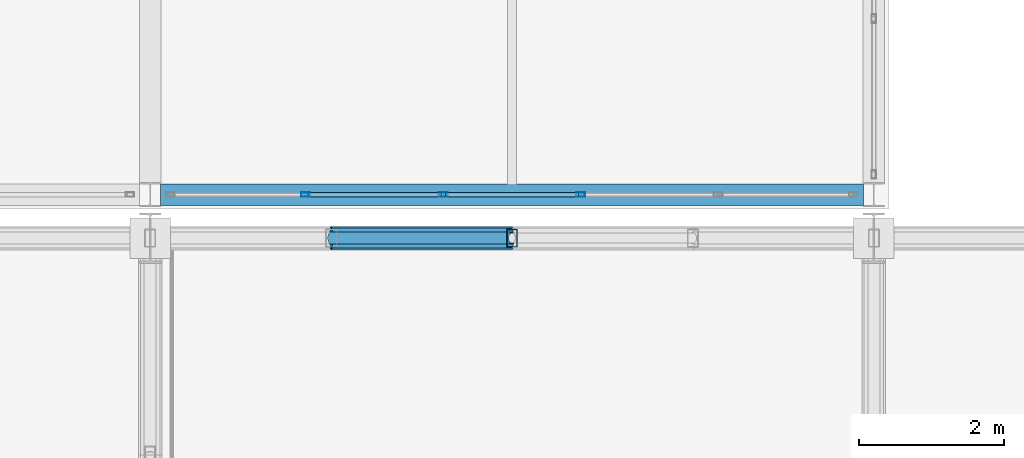
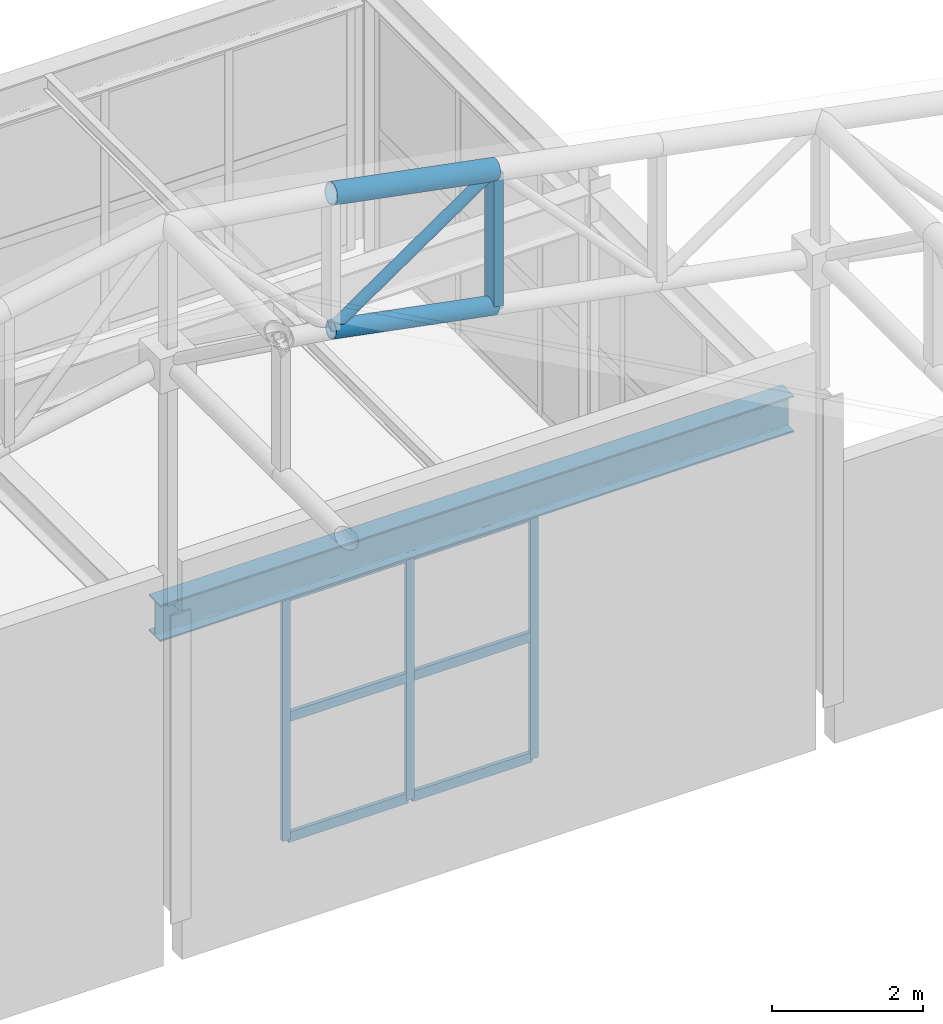
# One storey, part 73 of 112: 13 members, 1 beam, 1 element without a shape of its own.
"""IFC4 building model written with IfcOpenShell, lengths in metres."""

from ifc_helpers import new_model, si_unit, direction, frame, origin, origin_2d, place, context, subcontext, project, spatial, hollow_rectangle, hollow_circle, i_section, extrude, material, material_profile, profile_set, type_object, element, aggregate, save


model = new_model("IFC4")

# Units and contexts
model_context = context("Model", 3, precision=1e-05, world=origin(), true_north=direction((0.0, 1.0)))
body_context = subcontext(model_context, "Body", "Model", "MODEL_VIEW")
ifc_project = project(units=[si_unit("LENGTHUNIT", "METRE"), si_unit("AREAUNIT", "SQUARE_METRE"), si_unit("VOLUMEUNIT", "CUBIC_METRE"), si_unit("PLANEANGLEUNIT", "RADIAN"), si_unit("MASSUNIT", "GRAM", prefix="KILO")], contexts=[model_context])

# Site, building, storey
site_placement = place(None, origin())
site = spatial("IfcSite", under=ifc_project, at=site_placement, CompositionType="ELEMENT")
building_placement = place(site_placement, origin())
building = spatial("IfcBuilding", under=site, at=building_placement, Name="Kaldris Quays Convention Centre", CompositionType="ELEMENT")
storey_placement = place(building_placement, frame((0.0, 0.0, 16.800048828125)))
storey = spatial("IfcBuildingStorey", under=building, at=storey_placement, Name="L03", CompositionType="ELEMENT", Elevation=16.800048828125)

# Curtain wall, members
ifc_material_1 = material(Name="Anodized aluminium AW-6060 and triple glazing", Category="aluminium")
curtain_wall_type = type_object("IfcCurtainWallType", Name="UNITISED CURTAIN WALL CW06", PredefinedType="NOTDEFINED", material=ifc_material_1)
curtain_wall_placement = place(storey_placement, origin())
curtain_wall = element("IfcCurtainWall", 1, at=curtain_wall_placement, inside=storey, type_object=curtain_wall_type, Name="L03 Unitised Curtain Wall CW06 178", PredefinedType="NOTDEFINED")
ifc_material_2 = material(Name="Anodized aluminium AW-6060", Category="aluminium")
ifc_material_profile_1 = material_profile(ifc_material_2, hollow_rectangle(XDim=0.06005859375, YDim=0.1201171875, WallThickness=0.00390625, at=origin_2d()), Name="RHS 120x60x4")
ifc_profile_set_1 = profile_set([ifc_material_profile_1], Name="Anodized aluminium AW-6060")
member_type_1 = type_object("IfcMemberType", Name="CURTAIN MULLION CWM3", PredefinedType="MULLION", material=ifc_profile_set_1)
member_1_placement = place(storey_placement, frame((186.14990234375, 104.60009765625, 0.0), z_axis=(0.0, 0.0, 1.0), x_axis=(0.0, 1.0, 0.0)))
member_1 = element("IfcMember", 2, at=member_1_placement, type_object=member_type_1, Name="CW06 mullion 2", PredefinedType="MULLION", context=body_context, shape_type="SweptSolid", body=[
    extrude(hollow_rectangle(XDim=0.06005859375, YDim=0.1201171875, WallThickness=0.00390625, at=origin_2d()), origin(), (0.0, 0.0, 1.0), 3.967041015625),
])
member_2_placement = place(storey_placement, frame((188.050048828125, 104.60009765625, 0.0), z_axis=(0.0, 0.0, 1.0), x_axis=(0.0, 1.0, 0.0)))
member_2 = element("IfcMember", 3, at=member_2_placement, type_object=member_type_1, Name="CW06 mullion 3", PredefinedType="MULLION", context=body_context, shape_type="SweptSolid", body=[
    extrude(hollow_rectangle(XDim=0.06005859375, YDim=0.1201171875, WallThickness=0.00390625, at=origin_2d()), origin(), (0.0, 0.0, 1.0), 3.967041015625),
])
member_3_placement = place(storey_placement, frame((189.949951171875, 104.60009765625, 0.0), z_axis=(0.0, 0.0, 1.0), x_axis=(0.0, 1.0, 0.0)))
member_3 = element("IfcMember", 4, at=member_3_placement, type_object=member_type_1, Name="CW06 mullion 4", PredefinedType="MULLION", context=body_context, shape_type="SweptSolid", body=[
    extrude(hollow_rectangle(XDim=0.06005859375, YDim=0.1201171875, WallThickness=0.00390625, at=origin_2d()), origin(), (0.0, 0.0, 1.0), 3.967041015625),
])
ifc_material_profile_2 = material_profile(ifc_material_2, hollow_rectangle(XDim=0.06005859375, YDim=0.159912109375, WallThickness=0.00390625, at=origin_2d()), Name="RHS 160x60x4")
ifc_profile_set_2 = profile_set([ifc_material_profile_2], Name="Anodized aluminium AW-6060")
member_type_2 = type_object("IfcMemberType", Name="CURTAIN TRANSOM CWT2", PredefinedType="USERDEFINED", material=ifc_profile_set_2)
member_4_placement = place(storey_placement, frame((186.179931640625, 104.60009765625, 0.030029296875), z_axis=(1.0, 0.0, 0.0), x_axis=(0.0, 1.0, 0.0)))
member_4 = element("IfcMember", 5, at=member_4_placement, type_object=member_type_2, Name="CW06 transom 2.1", ObjectType="TRANSOM", PredefinedType="USERDEFINED", context=body_context, shape_type="SweptSolid", body=[
    extrude(hollow_rectangle(XDim=0.06005859375, YDim=0.159912109375, WallThickness=0.00390625, at=origin_2d()), origin(), (0.0, 0.0, 1.0), 1.840087890625),
])
member_5_placement = place(storey_placement, frame((186.179931640625, 104.60009765625, 1.98388671875), z_axis=(1.0, 0.0, 0.0), x_axis=(0.0, 1.0, 0.0)))
member_5 = element("IfcMember", 6, at=member_5_placement, type_object=member_type_2, Name="CW06 transom 2.2", ObjectType="TRANSOM", PredefinedType="USERDEFINED", context=body_context, shape_type="SweptSolid", body=[
    extrude(hollow_rectangle(XDim=0.06005859375, YDim=0.159912109375, WallThickness=0.00390625, at=origin_2d()), origin(), (0.0, 0.0, 1.0), 1.840087890625),
])
member_6_placement = place(storey_placement, frame((186.179931640625, 104.60009765625, 3.93701171875), z_axis=(1.0, 0.0, 0.0), x_axis=(0.0, 1.0, 0.0)))
member_6 = element("IfcMember", 7, at=member_6_placement, type_object=member_type_2, Name="CW06 transom 2.3", ObjectType="TRANSOM", PredefinedType="USERDEFINED", context=body_context, shape_type="SweptSolid", body=[
    extrude(hollow_rectangle(XDim=0.06005859375, YDim=0.159912109375, WallThickness=0.00390625, at=origin_2d()), origin(), (0.0, 0.0, 1.0), 1.840087890625),
])
member_7_placement = place(storey_placement, frame((188.080078125, 104.60009765625, 0.030029296875), z_axis=(1.0, 0.0, 0.0), x_axis=(0.0, 1.0, 0.0)))
member_7 = element("IfcMember", 8, at=member_7_placement, type_object=member_type_2, Name="CW06 transom 3.1", ObjectType="TRANSOM", PredefinedType="USERDEFINED", context=body_context, shape_type="SweptSolid", body=[
    extrude(hollow_rectangle(XDim=0.06005859375, YDim=0.159912109375, WallThickness=0.00390625, at=origin_2d()), origin(), (0.0, 0.0, 1.0), 1.83984375),
])
member_8_placement = place(storey_placement, frame((188.080078125, 104.60009765625, 1.98388671875), z_axis=(1.0, 0.0, 0.0), x_axis=(0.0, 1.0, 0.0)))
member_8 = element("IfcMember", 9, at=member_8_placement, type_object=member_type_2, Name="CW06 transom 3.2", ObjectType="TRANSOM", PredefinedType="USERDEFINED", context=body_context, shape_type="SweptSolid", body=[
    extrude(hollow_rectangle(XDim=0.06005859375, YDim=0.159912109375, WallThickness=0.00390625, at=origin_2d()), origin(), (0.0, 0.0, 1.0), 1.83984375),
])
member_9_placement = place(storey_placement, frame((188.080078125, 104.60009765625, 3.93701171875), z_axis=(1.0, 0.0, 0.0), x_axis=(0.0, 1.0, 0.0)))
member_9 = element("IfcMember", 10, at=member_9_placement, type_object=member_type_2, Name="CW06 transom 3.3", ObjectType="TRANSOM", PredefinedType="USERDEFINED", context=body_context, shape_type="SweptSolid", body=[
    extrude(hollow_rectangle(XDim=0.06005859375, YDim=0.159912109375, WallThickness=0.00390625, at=origin_2d()), origin(), (0.0, 0.0, 1.0), 1.83984375),
])
aggregate(curtain_wall, [member_1, member_2, member_3, member_4, member_5, member_6, member_7, member_8, member_9])

# Beam
ifc_material_3 = material(Name="Steel S355J2", Category="steel")
ifc_material_profile_3 = material_profile(ifc_material_3, i_section(OverallWidth=0.300048828125, OverallDepth=0.590087890625, WebThickness=0.012939453125, FlangeThickness=0.02490234375, FilletRadius=0.027099609375, at=origin_2d()), Name="HEA 600")
ifc_profile_set_3 = profile_set([ifc_material_profile_3], Name="Steel S355J2")
beam_type = type_object("IfcBeamType", Name="STRUCTURAL BEAM BM08", PredefinedType="BEAM", material=ifc_profile_set_3)
beam_placement = place(storey_placement, frame((184.14404296875, 104.60009765625, 4.286865234375), z_axis=(1.0, 0.0, 0.0), x_axis=(0.0, 1.0, 0.0)))
element("IfcBeam", 11, at=beam_placement, inside=storey, type_object=beam_type, Name="L03 Girder BM08 45", PredefinedType="BEAM", context=body_context, shape_type="SweptSolid", body=[
    extrude(i_section(OverallWidth=0.300048828125, OverallDepth=0.590087890625, WebThickness=0.012939453125, FlangeThickness=0.02490234375, FilletRadius=0.027099609375, at=origin_2d()), origin(), (0.0, 0.0, 1.0), 9.7119140625),
])

# Members
ifc_material_4 = material(Name="Steel S355J2H", Category="steel")
ifc_material_profile_4 = material_profile(ifc_material_4, hollow_circle(Radius=0.161865234375, WallThickness=0.01611328125, at=origin_2d()), Name="CHS 323.9x16")
ifc_profile_set_4 = profile_set([ifc_material_profile_4], Name="Steel S355J2H")
member_type_3 = type_object("IfcMemberType", Name="STRUCTURAL MEMBER SC03", PredefinedType="CHORD", material=ifc_profile_set_4)
member_10_placement = place(storey_placement, frame((186.5, 104.0, 10.7060546875), z_axis=(0.981903710383, 0.0, -0.189380842579), x_axis=(0.0, 1.0, 0.0)))
element("IfcMember", 12, at=member_10_placement, inside=storey, type_object=member_type_3, Name="SF-V2 Top Chord X 69", PredefinedType="CHORD", context=body_context, shape_type="SweptSolid", body=[
    extrude(hollow_circle(Radius=0.161865234375, WallThickness=0.01611328125, at=origin_2d()), origin(), (0.0, 0.0, 1.0), 2.546142578125),
])
ifc_material_profile_5 = material_profile(ifc_material_4, hollow_circle(Radius=0.136474609375, WallThickness=0.012451171875, at=origin_2d()), Name="CHS 273x12.5")
ifc_profile_set_5 = profile_set([ifc_material_profile_5], Name="Steel S355J2H")
member_type_4 = type_object("IfcMemberType", Name="STRUCTURAL MEMBER SC04", PredefinedType="CHORD", material=ifc_profile_set_5)
member_11_placement = place(storey_placement, frame((186.5, 104.0, 8.506103515625), z_axis=(0.981903710383, 0.0, -0.189380842579), x_axis=(0.0, 1.0, 0.0)))
element("IfcMember", 13, at=member_11_placement, inside=storey, type_object=member_type_4, Name="SF-V2 Bottom Chord X 69", PredefinedType="CHORD", context=body_context, shape_type="SweptSolid", body=[
    extrude(hollow_circle(Radius=0.136474609375, WallThickness=0.012451171875, at=origin_2d()), origin(), (0.0, 0.0, 1.0), 2.546142578125),
])
ifc_material_profile_6 = material_profile(ifc_material_4, hollow_circle(Radius=0.084228515625, WallThickness=0.008056640625, at=origin_2d()), Name="CHS 168.3x8")
ifc_profile_set_6 = profile_set([ifc_material_profile_6], Name="Steel S355J2H")
member_type_5 = type_object("IfcMemberType", Name="STRUCTURAL MEMBER SWB2", PredefinedType="BRACE", material=ifc_profile_set_6)
member_12_placement = place(storey_placement, frame((186.5, 104.0, 8.506103515625), z_axis=(0.8241921955, 0.0, 0.56631018433), x_axis=(0.0, 1.0, 0.0)))
element("IfcMember", 14, at=member_12_placement, inside=storey, type_object=member_type_5, Name="SF-V2 Web Diagonal X 69", PredefinedType="BRACE", context=body_context, shape_type="SweptSolid", body=[
    extrude(hollow_circle(Radius=0.084228515625, WallThickness=0.008056640625, at=origin_2d()), origin(), (0.0, 0.0, 1.0), 3.033203125),
])
ifc_material_profile_7 = material_profile(ifc_material_4, hollow_rectangle(XDim=0.14990234375, YDim=0.25, WallThickness=0.010009765625, at=origin_2d()), Name="RHS 250x150x10")
ifc_profile_set_7 = profile_set([ifc_material_profile_7], Name="Steel S355J2H")
member_type_6 = type_object("IfcMemberType", Name="STRUCTURAL MEMBER TTV1", PredefinedType="POST", material=ifc_profile_set_7)
member_13_placement = place(storey_placement, frame((189.0, 104.0, 8.02392578125), z_axis=(0.0, 0.0, 1.0), x_axis=(1.0, 0.0, 0.0)))
element("IfcMember", 15, at=member_13_placement, inside=storey, type_object=member_type_6, Name="SF-V2 Space-Frame Post 86", PredefinedType="POST", context=body_context, shape_type="SweptSolid", body=[
    extrude(hollow_rectangle(XDim=0.14990234375, YDim=0.25, WallThickness=0.010009765625, at=origin_2d()), origin(), (0.0, 0.0, 1.0), 2.199951171875),
])

save(model, "model.ifc")
